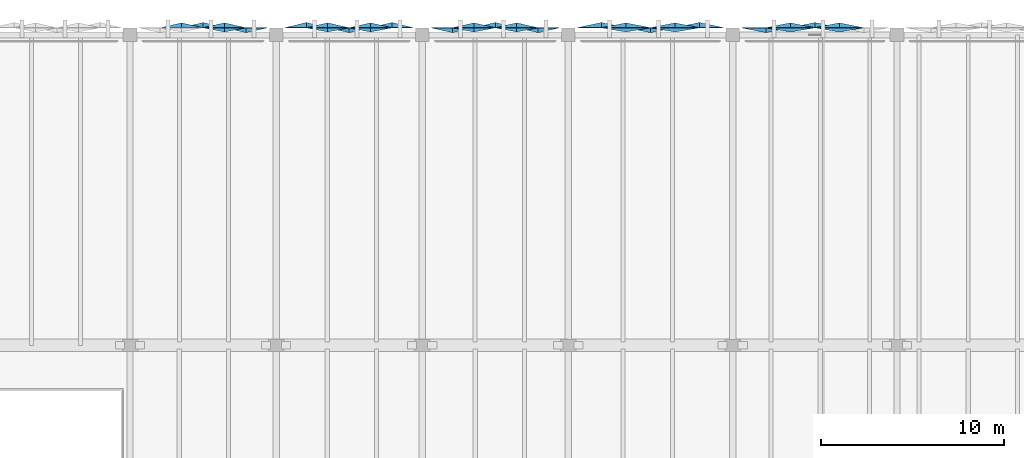
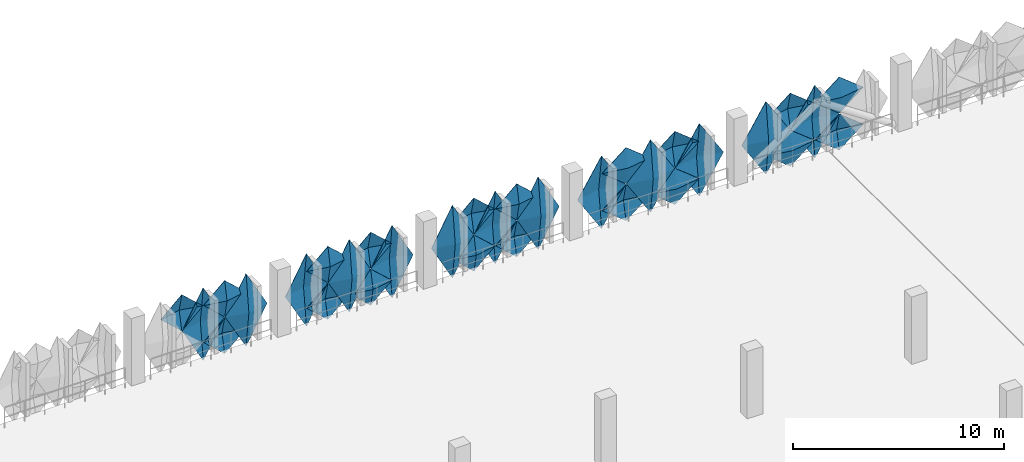
# One storey, part 63 of 76: 32 plates.
"""IFC4 building model written with IfcOpenShell, lengths in metres."""

import ifcopenshell
import ifcopenshell.guid

model = None  # the IFC model being written
_history = None  # IfcOwnerHistory: only IFC2X3 demands one
_inside = {}  # id of a spatial element -> (the spatial element, [elements in it])
_under = {}  # id of a project, library or spatial element -> (it, [spatial elements below it])
_declared = {}  # id of a project -> (the project, [libraries it declares])
_typed = {}  # id of a type object -> (the type object, [elements of that type])
_made_of = {}  # id of a material, layer set ... -> (it, [elements and type objects made of it])


def new_model(schema):
    """Start an empty IFC model of exactly this schema.

    Asked for "IFC4X3", IfcOpenShell would pick the latest addendum, in which some entities
    have other attributes; the version numbers below select the first issue.
    IFC2X3 requires an IfcOwnerHistory on every rooted entity: one is made here for all.
    """
    global model, _history
    if schema == "IFC4X3":
        model = ifcopenshell.file(schema_version=(4, 3, 0, 0))
    else:
        model = ifcopenshell.file(schema=schema)
    _inside.clear()
    _under.clear()
    _declared.clear()
    _typed.clear()
    _made_of.clear()
    _history = None
    if model.schema == "IFC2X3":
        org = make("IfcOrganization", Name="unknown")
        user = make(
            "IfcPersonAndOrganization",
            ThePerson=make("IfcPerson", FamilyName="unknown"),
            TheOrganization=org,
        )
        app = make(
            "IfcApplication",
            ApplicationDeveloper=org,
            Version="unknown",
            ApplicationFullName="unknown",
            ApplicationIdentifier="unknown",
        )
        _history = make(
            "IfcOwnerHistory",
            OwningUser=user,
            OwningApplication=app,
            ChangeAction="ADDED",
            CreationDate=0,
        )
    return model


def make(cls, **values):
    """One entity of the class cls with the attributes given. An attribute that is None is left unset."""
    return model.create_entity(
        cls, **{name: value for name, value in values.items() if value is not None}
    )


def rooted(cls, **values):
    """An entity with a GlobalId (a new one), such as an element, a storey or a relation."""
    return make(cls, GlobalId=ifcopenshell.guid.new(), OwnerHistory=_history, **values)


def si_unit(unit_type, name, prefix=None):
    """IfcSIUnit, for example si_unit("LENGTHUNIT", "METRE", prefix="MILLI")."""
    return make("IfcSIUnit", UnitType=unit_type, Prefix=prefix, Name=name)


def derived_unit(unit_type, elements):
    """IfcDerivedUnit: a product of units, each with its exponent."""
    return make(
        "IfcDerivedUnit",
        Elements=[
            make("IfcDerivedUnitElement", Unit=unit, Exponent=power)
            for unit, power in elements
        ],
        UnitType=unit_type,
    )


def assignment(units):
    """IfcUnitAssignment: the units of a project."""
    return None if units is None else make("IfcUnitAssignment", Units=units)


def point(xyz):
    """IfcCartesianPoint."""
    return None if xyz is None else make("IfcCartesianPoint", Coordinates=xyz)


def direction(xyz):
    """IfcDirection."""
    return None if xyz is None else make("IfcDirection", DirectionRatios=xyz)


def frame(location, z_axis=None, x_axis=None):
    """IfcAxis2Placement3D, a coordinate frame: its origin and axes. An axis left out is left unset."""
    return make(
        "IfcAxis2Placement3D",
        Location=point(location),
        Axis=direction(z_axis),
        RefDirection=direction(x_axis),
    )


def origin():
    """The frame at (0, 0, 0) with its axes left unset."""
    return frame((0.0, 0.0, 0.0))


def place(relative_to, where):
    """IfcLocalPlacement: puts the frame where relative to a parent placement (None: the world)."""
    return make(
        "IfcLocalPlacement", PlacementRelTo=relative_to, RelativePlacement=where
    )


def context(
    kind, dimensions, precision=None, world=None, true_north=None, identifier=None
):
    """IfcGeometricRepresentationContext, for example the 3D "Model" context."""
    return make(
        "IfcGeometricRepresentationContext",
        ContextIdentifier=identifier,
        ContextType=kind,
        CoordinateSpaceDimension=dimensions,
        Precision=precision,
        WorldCoordinateSystem=world,
        TrueNorth=true_north,
    )


def subcontext(parent, identifier, kind, view, scale=None):
    """IfcGeometricRepresentationSubContext, for example "Body" below "Model"."""
    return make(
        "IfcGeometricRepresentationSubContext",
        ContextIdentifier=identifier,
        ContextType=kind,
        ParentContext=parent,
        TargetScale=scale,
        TargetView=view,
    )


def project(units=None, contexts=None):
    """IfcProject with its units and contexts."""
    return rooted(
        "IfcProject",
        Name="project",
        RepresentationContexts=contexts,
        UnitsInContext=assignment(units),
    )


def spatial(cls, under=None, at=None, **own):
    """A site, building, storey or space (cls), placed at a placement, below another one or the project."""
    s = rooted(cls, ObjectPlacement=at, **own)
    if under is not None:
        _under.setdefault(under.id(), (under, []))[1].append(s)
    return s


def point_list(points):
    """IfcCartesianPointList2D or 3D."""
    cls = (
        "IfcCartesianPointList2D" if len(points[0]) == 2 else "IfcCartesianPointList3D"
    )
    return make(cls, CoordList=points)


def polygons(points, faces, closed=None, point_numbers=None):
    """IfcPolygonalFaceSet: a face is its outer loop, then its inner loops; points numbered from 1."""
    made = []
    for loops in faces:
        if len(loops) == 1:
            made.append(make("IfcIndexedPolygonalFace", CoordIndex=loops[0]))
        else:
            made.append(
                make(
                    "IfcIndexedPolygonalFaceWithVoids",
                    CoordIndex=loops[0],
                    InnerCoordIndices=loops[1:],
                )
            )
    return make(
        "IfcPolygonalFaceSet",
        Coordinates=point_list(points),
        Closed=closed,
        Faces=made,
        PnIndex=point_numbers,
    )


def shape(context_of_items, identifier, shape_type, items):
    """IfcShapeRepresentation: the items that make up one representation, for example the "Body"."""
    return make(
        "IfcShapeRepresentation",
        ContextOfItems=context_of_items,
        RepresentationIdentifier=identifier,
        RepresentationType=shape_type,
        Items=items,
    )


def material(Name=None, Category=None):
    """IfcMaterial."""
    return make("IfcMaterial", Name=Name, Category=Category)


def layer(
    of_material, thickness, ventilated=None, Name=None, Category=None, Priority=None
):
    """IfcMaterialLayer: one layer of a wall or slab, of a material (None: an air gap)."""
    return make(
        "IfcMaterialLayer",
        Material=of_material,
        LayerThickness=thickness,
        IsVentilated=ventilated,
        Name=Name,
        Category=Category,
        Priority=Priority,
    )


def layer_set(layers, Name=None):
    """IfcMaterialLayerSet."""
    return make("IfcMaterialLayerSet", MaterialLayers=layers, LayerSetName=Name)


def made_of(thing, what):
    """Note that an element or type object is made of a material, layer set ...; save() writes the relation."""
    if what is not None:
        _made_of.setdefault(what.id(), (what, []))[1].append(thing)
    return thing


def type_object(cls, material=None, **own):
    """A type object (cls), such as IfcWallType, which elements share."""
    return made_of(rooted(cls, **own), material)


def element(
    cls,
    number,
    at=None,
    inside=None,
    cuts=None,
    type_object=None,
    material=None,
    context=None,
    identifier="Body",
    shape_type=None,
    held_by="IfcProductDefinitionShape",
    body=None,
    shapes=None,
    **own,
):
    """One element of the class cls, such as IfcWall. Its Tag is "e" and its number.

    at: its placement. inside: the storey or other place that contains it. cuts: it is an
    opening in that element (IfcRelVoidsElement). A single representation is given by context,
    identifier, shape_type and body (its items); several are given by shapes. held_by: the class
    of the entity that holds the representations. save() writes the other relations.
    """
    e = rooted(cls, Tag="e%d" % number, ObjectPlacement=at, **own)
    if body is not None:
        shapes = [shape(context, identifier, shape_type, body)]
    if shapes is not None:
        e.Representation = make(held_by, Representations=shapes)
    if inside is not None:
        _inside.setdefault(inside.id(), (inside, []))[1].append(e)
    if cuts is not None:
        rooted(
            "IfcRelVoidsElement", RelatingBuildingElement=cuts, RelatedOpeningElement=e
        )
    if type_object is not None:
        _typed.setdefault(type_object.id(), (type_object, []))[1].append(e)
    return made_of(e, material)


def aggregate(whole, parts):
    """IfcRelAggregates: a whole, such as a stair, and the parts it consists of."""
    return rooted("IfcRelAggregates", RelatingObject=whole, RelatedObjects=parts)


def save(model, path):
    """Write the relations noted so far, then the file.

    IfcRelAggregates (storeys below a building ...), IfcRelContainedInSpatialStructure (elements
    in a storey), IfcRelDefinesByType, IfcRelAssociatesMaterial and IfcRelDeclares: one each for
    every whole, place, type object, material and project.
    """
    for whole, parts in _under.values():
        aggregate(whole, parts)
    for where, things in _inside.values():
        rooted(
            "IfcRelContainedInSpatialStructure",
            RelatedElements=things,
            RelatingStructure=where,
        )
    for kind, things in _typed.values():
        rooted("IfcRelDefinesByType", RelatedObjects=things, RelatingType=kind)
    for what, things in _made_of.values():
        rooted("IfcRelAssociatesMaterial", RelatedObjects=things, RelatingMaterial=what)
    for by, libraries in _declared.values():
        rooted("IfcRelDeclares", RelatingContext=by, RelatedDefinitions=libraries)
    model.write(path)


model = new_model("IFC4")

# Units and contexts
model_context = context("Model", 3, precision=1e-05, world=origin(), true_north=direction((0.0, 1.0)))
body_context = subcontext(model_context, "Body", "Model", "MODEL_VIEW")
ifc_project = project(units=[si_unit("LENGTHUNIT", "METRE"), si_unit("AREAUNIT", "SQUARE_METRE"), si_unit("VOLUMEUNIT", "CUBIC_METRE"), si_unit("PLANEANGLEUNIT", "RADIAN"), si_unit("MASSUNIT", "GRAM", prefix="KILO"), si_unit("THERMODYNAMICTEMPERATUREUNIT", "KELVIN"), derived_unit("THERMALTRANSMITTANCEUNIT", [(si_unit("POWERUNIT", "WATT"), 1), (si_unit("AREAUNIT", "SQUARE_METRE"), -1), (si_unit("THERMODYNAMICTEMPERATUREUNIT", "KELVIN"), -1)])], contexts=[model_context])

# Site, building, storey
site_placement = place(None, origin())
site = spatial("IfcSite", under=ifc_project, at=site_placement, CompositionType="ELEMENT")
building_placement = place(site_placement, origin())
building = spatial("IfcBuilding", under=site, at=building_placement, Name="Haiyu Intermodal Mobility Hub", CompositionType="ELEMENT")
storey_placement = place(building_placement, frame((0.0, 0.0, 17.300048828125)))
storey = spatial("IfcBuildingStorey", under=building, at=storey_placement, Name="L04", CompositionType="ELEMENT", Elevation=17.300048828125)

# Plates
ifc_material = material(Name="Anodised aluminium 6063-T6", Category="aluminium")
ifc_layer_1 = layer(ifc_material, 0.01806640625)
ifc_layer_set_1 = layer_set([ifc_layer_1], Name="Anodised aluminium 6063-T6")
plate_type_1 = type_object("IfcPlateType", Name="PLT-FC01", PredefinedType="USERDEFINED", material=ifc_layer_set_1)
plate_1_placement = place(storey_placement, origin())
element("IfcPlate", 1, at=plate_1_placement, inside=storey, type_object=plate_type_1, Name="PLT-PYR-0128", ObjectType="FACADE CASSETTE", PredefinedType="USERDEFINED", context=body_context, shape_type="Tessellation", body=[
    polygons([(59.173095703125, 148.39990234375, -0.52001953125), (58.02001953125, 148.39990234375, 0.530029296875), (59.173095703125, 148.39990234375, 1.579833984375), (60.326904296875, 148.39990234375, 0.530029296875), (59.173095703125, 148.659912109375, 0.530029296875), (59.173095703125, 148.3779296875, -0.52001953125), (58.02001953125, 148.3779296875, 0.530029296875), (59.173095703125, 148.3779296875, 1.579833984375), (60.326904296875, 148.3779296875, 0.530029296875), (59.173095703125, 148.637939453125, 0.530029296875)], [[[1, 2, 5]], [[2, 3, 5]], [[3, 4, 5]], [[4, 1, 5]], [[7, 6, 10]], [[8, 7, 10]], [[9, 8, 10]], [[6, 9, 10]], [[1, 6, 7, 2]], [[2, 7, 8, 3]], [[3, 8, 9, 4]], [[4, 9, 6, 1]]], closed=True),
])
plate_2_placement = place(storey_placement, origin())
element("IfcPlate", 2, at=plate_2_placement, inside=storey, type_object=plate_type_1, Name="PLT-PYR-0162", ObjectType="FACADE CASSETTE", PredefinedType="USERDEFINED", context=body_context, shape_type="Tessellation", body=[
    polygons([(68.346923828125, 148.39990234375, -0.510009765625), (67.193115234375, 148.39990234375, 1.599853515625), (68.346923828125, 148.39990234375, 3.7099609375), (69.5, 148.39990234375, 1.599853515625), (68.346923828125, 148.679931640625, 1.599853515625), (68.346923828125, 148.3779296875, -0.510009765625), (67.193115234375, 148.3779296875, 1.599853515625), (68.346923828125, 148.3779296875, 3.7099609375), (69.5, 148.3779296875, 1.599853515625), (68.346923828125, 148.657958984375, 1.599853515625)], [[[1, 2, 5]], [[2, 3, 5]], [[3, 4, 5]], [[4, 1, 5]], [[7, 6, 10]], [[8, 7, 10]], [[9, 8, 10]], [[6, 9, 10]], [[1, 6, 7, 2]], [[2, 7, 8, 3]], [[3, 8, 9, 4]], [[4, 9, 6, 1]]], closed=True),
])
plate_3_placement = place(storey_placement, origin())
element("IfcPlate", 3, at=plate_3_placement, inside=storey, type_object=plate_type_1, Name="PLT-PYR-0166", ObjectType="FACADE CASSETTE", PredefinedType="USERDEFINED", context=body_context, shape_type="Tessellation", body=[
    polygons([(64.826904296875, 148.39990234375, -0.52001953125), (63.673095703125, 148.39990234375, 0.530029296875), (64.826904296875, 148.39990234375, 1.579833984375), (65.97998046875, 148.39990234375, 0.530029296875), (64.826904296875, 148.659912109375, 0.530029296875), (64.826904296875, 148.3779296875, -0.52001953125), (63.673095703125, 148.3779296875, 0.530029296875), (64.826904296875, 148.3779296875, 1.579833984375), (65.97998046875, 148.3779296875, 0.530029296875), (64.826904296875, 148.637939453125, 0.530029296875)], [[[1, 2, 5]], [[2, 3, 5]], [[3, 4, 5]], [[4, 1, 5]], [[7, 6, 10]], [[8, 7, 10]], [[9, 8, 10]], [[6, 9, 10]], [[1, 6, 7, 2]], [[2, 7, 8, 3]], [[3, 8, 9, 4]], [[4, 9, 6, 1]]], closed=True),
])
plate_4_placement = place(storey_placement, origin())
element("IfcPlate", 4, at=plate_4_placement, inside=storey, type_object=plate_type_1, Name="PLT-PYR-0198", ObjectType="FACADE CASSETTE", PredefinedType="USERDEFINED", context=body_context, shape_type="Tessellation", body=[
    polygons([(75.173095703125, 148.39990234375, -0.52001953125), (74.02001953125, 148.39990234375, 0.530029296875), (75.173095703125, 148.39990234375, 1.579833984375), (76.326904296875, 148.39990234375, 0.530029296875), (75.173095703125, 148.659912109375, 0.530029296875), (75.173095703125, 148.3779296875, -0.52001953125), (74.02001953125, 148.3779296875, 0.530029296875), (75.173095703125, 148.3779296875, 1.579833984375), (76.326904296875, 148.3779296875, 0.530029296875), (75.173095703125, 148.637939453125, 0.530029296875)], [[[1, 2, 5]], [[2, 3, 5]], [[3, 4, 5]], [[4, 1, 5]], [[7, 6, 10]], [[8, 7, 10]], [[9, 8, 10]], [[6, 9, 10]], [[1, 6, 7, 2]], [[2, 7, 8, 3]], [[3, 8, 9, 4]], [[4, 9, 6, 1]]], closed=True),
])
plate_5_placement = place(storey_placement, origin())
element("IfcPlate", 5, at=plate_5_placement, inside=storey, type_object=plate_type_1, Name="PLT-PYR-0232", ObjectType="FACADE CASSETTE", PredefinedType="USERDEFINED", context=body_context, shape_type="Tessellation", body=[
    polygons([(85.179931640625, 148.39990234375, -0.510009765625), (83.860107421875, 148.39990234375, 1.599853515625), (85.179931640625, 148.39990234375, 3.7099609375), (86.5, 148.39990234375, 1.599853515625), (85.179931640625, 148.679931640625, 1.599853515625), (85.179931640625, 148.3779296875, -0.510009765625), (83.860107421875, 148.3779296875, 1.599853515625), (85.179931640625, 148.3779296875, 3.7099609375), (86.5, 148.3779296875, 1.599853515625), (85.179931640625, 148.657958984375, 1.599853515625)], [[[1, 2, 5]], [[2, 3, 5]], [[3, 4, 5]], [[4, 1, 5]], [[7, 6, 10]], [[8, 7, 10]], [[9, 8, 10]], [[6, 9, 10]], [[1, 6, 7, 2]], [[2, 7, 8, 3]], [[3, 8, 9, 4]], [[4, 9, 6, 1]]], closed=True),
])
plate_6_placement = place(storey_placement, origin())
element("IfcPlate", 6, at=plate_6_placement, inside=storey, type_object=plate_type_1, Name="PLT-PYR-0236", ObjectType="FACADE CASSETTE", PredefinedType="USERDEFINED", context=body_context, shape_type="Tessellation", body=[
    polygons([(81.159912109375, 148.39990234375, -0.52001953125), (79.840087890625, 148.39990234375, 0.530029296875), (81.159912109375, 148.39990234375, 1.579833984375), (82.47998046875, 148.39990234375, 0.530029296875), (81.159912109375, 148.659912109375, 0.530029296875), (81.159912109375, 148.3779296875, -0.52001953125), (79.840087890625, 148.3779296875, 0.530029296875), (81.159912109375, 148.3779296875, 1.579833984375), (82.47998046875, 148.3779296875, 0.530029296875), (81.159912109375, 148.637939453125, 0.530029296875)], [[[1, 2, 5]], [[2, 3, 5]], [[3, 4, 5]], [[4, 1, 5]], [[7, 6, 10]], [[8, 7, 10]], [[9, 8, 10]], [[6, 9, 10]], [[1, 6, 7, 2]], [[2, 7, 8, 3]], [[3, 8, 9, 4]], [[4, 9, 6, 1]]], closed=True),
])
plate_7_placement = place(storey_placement, origin())
element("IfcPlate", 7, at=plate_7_placement, inside=storey, type_object=plate_type_1, Name="PLT-PYR-0268", ObjectType="FACADE CASSETTE", PredefinedType="USERDEFINED", context=body_context, shape_type="Tessellation", body=[
    polygons([(92.840087890625, 148.39990234375, -0.52001953125), (91.52001953125, 148.39990234375, 0.530029296875), (92.840087890625, 148.39990234375, 1.579833984375), (94.159912109375, 148.39990234375, 0.530029296875), (92.840087890625, 148.659912109375, 0.530029296875), (92.840087890625, 148.3779296875, -0.52001953125), (91.52001953125, 148.3779296875, 0.530029296875), (92.840087890625, 148.3779296875, 1.579833984375), (94.159912109375, 148.3779296875, 0.530029296875), (92.840087890625, 148.637939453125, 0.530029296875)], [[[1, 2, 5]], [[2, 3, 5]], [[3, 4, 5]], [[4, 1, 5]], [[7, 6, 10]], [[8, 7, 10]], [[9, 8, 10]], [[6, 9, 10]], [[1, 6, 7, 2]], [[2, 7, 8, 3]], [[3, 8, 9, 4]], [[4, 9, 6, 1]]], closed=True),
])
ifc_layer_2 = layer(ifc_material, 0.02001953125)
ifc_layer_set_2 = layer_set([ifc_layer_2], Name="Anodised aluminium 6063-T6")
plate_type_2 = type_object("IfcPlateType", Name="PLT-FC02", PredefinedType="USERDEFINED", material=ifc_layer_set_2)
plate_8_placement = place(storey_placement, origin())
element("IfcPlate", 8, at=plate_8_placement, inside=storey, type_object=plate_type_2, Name="PLT-PYR-0127", ObjectType="FACADE CASSETTE", PredefinedType="USERDEFINED", context=body_context, shape_type="Tessellation", body=[
    polygons([(60.346923828125, 148.39990234375, -0.510009765625), (59.193115234375, 148.39990234375, 1.599853515625), (60.346923828125, 148.39990234375, 3.7099609375), (61.5, 148.39990234375, 1.599853515625), (60.346923828125, 148.139892578125, 1.599853515625), (60.346923828125, 148.3779296875, -0.510009765625), (59.193115234375, 148.3779296875, 1.599853515625), (60.346923828125, 148.3779296875, 3.7099609375), (61.5, 148.3779296875, 1.599853515625), (60.346923828125, 148.117919921875, 1.599853515625)], [[[1, 2, 5]], [[2, 3, 5]], [[3, 4, 5]], [[4, 1, 5]], [[7, 6, 10]], [[8, 7, 10]], [[9, 8, 10]], [[6, 9, 10]], [[1, 6, 7, 2]], [[2, 7, 8, 3]], [[3, 8, 9, 4]], [[4, 9, 6, 1]]], closed=True),
])
plate_9_placement = place(storey_placement, origin())
element("IfcPlate", 9, at=plate_9_placement, inside=storey, type_object=plate_type_2, Name="PLT-PYR-0163", ObjectType="FACADE CASSETTE", PredefinedType="USERDEFINED", context=body_context, shape_type="Tessellation", body=[
    polygons([(67.173095703125, 148.39990234375, -0.52001953125), (66.02001953125, 148.39990234375, 0.530029296875), (67.173095703125, 148.39990234375, 1.579833984375), (68.326904296875, 148.39990234375, 0.530029296875), (67.173095703125, 148.179931640625, 0.530029296875), (67.173095703125, 148.3779296875, -0.52001953125), (66.02001953125, 148.3779296875, 0.530029296875), (67.173095703125, 148.3779296875, 1.579833984375), (68.326904296875, 148.3779296875, 0.530029296875), (67.173095703125, 148.157958984375, 0.530029296875)], [[[1, 2, 5]], [[2, 3, 5]], [[3, 4, 5]], [[4, 1, 5]], [[7, 6, 10]], [[8, 7, 10]], [[9, 8, 10]], [[6, 9, 10]], [[1, 6, 7, 2]], [[2, 7, 8, 3]], [[3, 8, 9, 4]], [[4, 9, 6, 1]]], closed=True),
])
plate_10_placement = place(storey_placement, origin())
element("IfcPlate", 10, at=plate_10_placement, inside=storey, type_object=plate_type_2, Name="PLT-PYR-0197", ObjectType="FACADE CASSETTE", PredefinedType="USERDEFINED", context=body_context, shape_type="Tessellation", body=[
    polygons([(76.346923828125, 148.39990234375, -0.510009765625), (75.193115234375, 148.39990234375, 1.599853515625), (76.346923828125, 148.39990234375, 3.7099609375), (77.5, 148.39990234375, 1.599853515625), (76.346923828125, 148.139892578125, 1.599853515625), (76.346923828125, 148.3779296875, -0.510009765625), (75.193115234375, 148.3779296875, 1.599853515625), (76.346923828125, 148.3779296875, 3.7099609375), (77.5, 148.3779296875, 1.599853515625), (76.346923828125, 148.117919921875, 1.599853515625)], [[[1, 2, 5]], [[2, 3, 5]], [[3, 4, 5]], [[4, 1, 5]], [[7, 6, 10]], [[8, 7, 10]], [[9, 8, 10]], [[6, 9, 10]], [[1, 6, 7, 2]], [[2, 7, 8, 3]], [[3, 8, 9, 4]], [[4, 9, 6, 1]]], closed=True),
])
plate_11_placement = place(storey_placement, origin())
element("IfcPlate", 11, at=plate_11_placement, inside=storey, type_object=plate_type_2, Name="PLT-PYR-0201", ObjectType="FACADE CASSETTE", PredefinedType="USERDEFINED", context=body_context, shape_type="Tessellation", body=[
    polygons([(72.826904296875, 148.39990234375, -0.52001953125), (71.673095703125, 148.39990234375, 0.530029296875), (72.826904296875, 148.39990234375, 1.579833984375), (73.97998046875, 148.39990234375, 0.530029296875), (72.826904296875, 148.179931640625, 0.530029296875), (72.826904296875, 148.3779296875, -0.52001953125), (71.673095703125, 148.3779296875, 0.530029296875), (72.826904296875, 148.3779296875, 1.579833984375), (73.97998046875, 148.3779296875, 0.530029296875), (72.826904296875, 148.157958984375, 0.530029296875)], [[[1, 2, 5]], [[2, 3, 5]], [[3, 4, 5]], [[4, 1, 5]], [[7, 6, 10]], [[8, 7, 10]], [[9, 8, 10]], [[6, 9, 10]], [[1, 6, 7, 2]], [[2, 7, 8, 3]], [[3, 8, 9, 4]], [[4, 9, 6, 1]]], closed=True),
])
plate_12_placement = place(storey_placement, origin())
element("IfcPlate", 12, at=plate_12_placement, inside=storey, type_object=plate_type_2, Name="PLT-PYR-0233", ObjectType="FACADE CASSETTE", PredefinedType="USERDEFINED", context=body_context, shape_type="Tessellation", body=[
    polygons([(83.840087890625, 148.39990234375, -0.52001953125), (82.52001953125, 148.39990234375, 0.530029296875), (83.840087890625, 148.39990234375, 1.579833984375), (85.159912109375, 148.39990234375, 0.530029296875), (83.840087890625, 148.179931640625, 0.530029296875), (83.840087890625, 148.3779296875, -0.52001953125), (82.52001953125, 148.3779296875, 0.530029296875), (83.840087890625, 148.3779296875, 1.579833984375), (85.159912109375, 148.3779296875, 0.530029296875), (83.840087890625, 148.157958984375, 0.530029296875)], [[[1, 2, 5]], [[2, 3, 5]], [[3, 4, 5]], [[4, 1, 5]], [[7, 6, 10]], [[8, 7, 10]], [[9, 8, 10]], [[6, 9, 10]], [[1, 6, 7, 2]], [[2, 7, 8, 3]], [[3, 8, 9, 4]], [[4, 9, 6, 1]]], closed=True),
])
plate_13_placement = place(storey_placement, origin())
element("IfcPlate", 13, at=plate_13_placement, inside=storey, type_object=plate_type_2, Name="PLT-PYR-0271", ObjectType="FACADE CASSETTE", PredefinedType="USERDEFINED", context=body_context, shape_type="Tessellation", body=[
    polygons([(90.159912109375, 148.39990234375, -0.52001953125), (88.840087890625, 148.39990234375, 0.530029296875), (90.159912109375, 148.39990234375, 1.579833984375), (91.47998046875, 148.39990234375, 0.530029296875), (90.159912109375, 148.179931640625, 0.530029296875), (90.159912109375, 148.3779296875, -0.52001953125), (88.840087890625, 148.3779296875, 0.530029296875), (90.159912109375, 148.3779296875, 1.579833984375), (91.47998046875, 148.3779296875, 0.530029296875), (90.159912109375, 148.157958984375, 0.530029296875)], [[[1, 2, 5]], [[2, 3, 5]], [[3, 4, 5]], [[4, 1, 5]], [[7, 6, 10]], [[8, 7, 10]], [[9, 8, 10]], [[6, 9, 10]], [[1, 6, 7, 2]], [[2, 7, 8, 3]], [[3, 8, 9, 4]], [[4, 9, 6, 1]]], closed=True),
])
ifc_layer_3 = layer(ifc_material, 0.01806640625)
ifc_layer_set_3 = layer_set([ifc_layer_3], Name="Anodised aluminium 6063-T6")
plate_type_3 = type_object("IfcPlateType", Name="PLT-FC03", PredefinedType="USERDEFINED", material=ifc_layer_set_3)
plate_14_placement = place(storey_placement, origin())
element("IfcPlate", 14, at=plate_14_placement, inside=storey, type_object=plate_type_3, Name="PLT-PYR-0130", ObjectType="FACADE CASSETTE", PredefinedType="USERDEFINED", context=body_context, shape_type="Tessellation", body=[
    polygons([(58.0, 148.39990234375, -0.510009765625), (56.846923828125, 148.39990234375, 1.599853515625), (58.0, 148.39990234375, 3.7099609375), (59.153076171875, 148.39990234375, 1.599853515625), (58.0, 148.679931640625, 1.599853515625), (58.0, 148.3779296875, -0.510009765625), (56.846923828125, 148.3779296875, 1.599853515625), (58.0, 148.3779296875, 3.7099609375), (59.153076171875, 148.3779296875, 1.599853515625), (58.0, 148.657958984375, 1.599853515625)], [[[1, 2, 5]], [[2, 3, 5]], [[3, 4, 5]], [[4, 1, 5]], [[7, 6, 10]], [[8, 7, 10]], [[9, 8, 10]], [[6, 9, 10]], [[1, 6, 7, 2]], [[2, 7, 8, 3]], [[3, 8, 9, 4]], [[4, 9, 6, 1]]], closed=True),
])
plate_15_placement = place(storey_placement, origin())
element("IfcPlate", 15, at=plate_15_placement, inside=storey, type_object=plate_type_3, Name="PLT-PYR-0132", ObjectType="FACADE CASSETTE", PredefinedType="USERDEFINED", context=body_context, shape_type="Tessellation", body=[
    polygons([(56.826904296875, 148.39990234375, 1.619873046875), (55.673095703125, 148.39990234375, 2.669921875), (56.826904296875, 148.39990234375, 3.719970703125), (57.97998046875, 148.39990234375, 2.669921875), (56.826904296875, 148.659912109375, 2.669921875), (56.826904296875, 148.3779296875, 1.619873046875), (55.673095703125, 148.3779296875, 2.669921875), (56.826904296875, 148.3779296875, 3.719970703125), (57.97998046875, 148.3779296875, 2.669921875), (56.826904296875, 148.637939453125, 2.669921875)], [[[1, 2, 5]], [[2, 3, 5]], [[3, 4, 5]], [[4, 1, 5]], [[7, 6, 10]], [[8, 7, 10]], [[9, 8, 10]], [[6, 9, 10]], [[1, 6, 7, 2]], [[2, 7, 8, 3]], [[3, 8, 9, 4]], [[4, 9, 6, 1]]], closed=True),
])
plate_16_placement = place(storey_placement, origin())
element("IfcPlate", 16, at=plate_16_placement, inside=storey, type_object=plate_type_3, Name="PLT-PYR-0164", ObjectType="FACADE CASSETTE", PredefinedType="USERDEFINED", context=body_context, shape_type="Tessellation", body=[
    polygons([(67.173095703125, 148.39990234375, 1.619873046875), (66.02001953125, 148.39990234375, 2.669921875), (67.173095703125, 148.39990234375, 3.719970703125), (68.326904296875, 148.39990234375, 2.669921875), (67.173095703125, 148.659912109375, 2.669921875), (67.173095703125, 148.3779296875, 1.619873046875), (66.02001953125, 148.3779296875, 2.669921875), (67.173095703125, 148.3779296875, 3.719970703125), (68.326904296875, 148.3779296875, 2.669921875), (67.173095703125, 148.637939453125, 2.669921875)], [[[1, 2, 5]], [[2, 3, 5]], [[3, 4, 5]], [[4, 1, 5]], [[7, 6, 10]], [[8, 7, 10]], [[9, 8, 10]], [[6, 9, 10]], [[1, 6, 7, 2]], [[2, 7, 8, 3]], [[3, 8, 9, 4]], [[4, 9, 6, 1]]], closed=True),
])
plate_17_placement = place(storey_placement, origin())
element("IfcPlate", 17, at=plate_17_placement, inside=storey, type_object=plate_type_3, Name="PLT-PYR-0200", ObjectType="FACADE CASSETTE", PredefinedType="USERDEFINED", context=body_context, shape_type="Tessellation", body=[
    polygons([(74.0, 148.39990234375, -0.510009765625), (72.846923828125, 148.39990234375, 1.599853515625), (74.0, 148.39990234375, 3.7099609375), (75.153076171875, 148.39990234375, 1.599853515625), (74.0, 148.679931640625, 1.599853515625), (74.0, 148.3779296875, -0.510009765625), (72.846923828125, 148.3779296875, 1.599853515625), (74.0, 148.3779296875, 3.7099609375), (75.153076171875, 148.3779296875, 1.599853515625), (74.0, 148.657958984375, 1.599853515625)], [[[1, 2, 5]], [[2, 3, 5]], [[3, 4, 5]], [[4, 1, 5]], [[7, 6, 10]], [[8, 7, 10]], [[9, 8, 10]], [[6, 9, 10]], [[1, 6, 7, 2]], [[2, 7, 8, 3]], [[3, 8, 9, 4]], [[4, 9, 6, 1]]], closed=True),
])
plate_18_placement = place(storey_placement, origin())
element("IfcPlate", 18, at=plate_18_placement, inside=storey, type_object=plate_type_3, Name="PLT-PYR-0202", ObjectType="FACADE CASSETTE", PredefinedType="USERDEFINED", context=body_context, shape_type="Tessellation", body=[
    polygons([(72.826904296875, 148.39990234375, 1.619873046875), (71.673095703125, 148.39990234375, 2.669921875), (72.826904296875, 148.39990234375, 3.719970703125), (73.97998046875, 148.39990234375, 2.669921875), (72.826904296875, 148.659912109375, 2.669921875), (72.826904296875, 148.3779296875, 1.619873046875), (71.673095703125, 148.3779296875, 2.669921875), (72.826904296875, 148.3779296875, 3.719970703125), (73.97998046875, 148.3779296875, 2.669921875), (72.826904296875, 148.637939453125, 2.669921875)], [[[1, 2, 5]], [[2, 3, 5]], [[3, 4, 5]], [[4, 1, 5]], [[7, 6, 10]], [[8, 7, 10]], [[9, 8, 10]], [[6, 9, 10]], [[1, 6, 7, 2]], [[2, 7, 8, 3]], [[3, 8, 9, 4]], [[4, 9, 6, 1]]], closed=True),
])
plate_19_placement = place(storey_placement, origin())
element("IfcPlate", 19, at=plate_19_placement, inside=storey, type_object=plate_type_3, Name="PLT-PYR-0234", ObjectType="FACADE CASSETTE", PredefinedType="USERDEFINED", context=body_context, shape_type="Tessellation", body=[
    polygons([(83.840087890625, 148.39990234375, 1.619873046875), (82.52001953125, 148.39990234375, 2.669921875), (83.840087890625, 148.39990234375, 3.719970703125), (85.159912109375, 148.39990234375, 2.669921875), (83.840087890625, 148.659912109375, 2.669921875), (83.840087890625, 148.3779296875, 1.619873046875), (82.52001953125, 148.3779296875, 2.669921875), (83.840087890625, 148.3779296875, 3.719970703125), (85.159912109375, 148.3779296875, 2.669921875), (83.840087890625, 148.637939453125, 2.669921875)], [[[1, 2, 5]], [[2, 3, 5]], [[3, 4, 5]], [[4, 1, 5]], [[7, 6, 10]], [[8, 7, 10]], [[9, 8, 10]], [[6, 9, 10]], [[1, 6, 7, 2]], [[2, 7, 8, 3]], [[3, 8, 9, 4]], [[4, 9, 6, 1]]], closed=True),
])
plate_20_placement = place(storey_placement, origin())
element("IfcPlate", 20, at=plate_20_placement, inside=storey, type_object=plate_type_3, Name="PLT-PYR-0270", ObjectType="FACADE CASSETTE", PredefinedType="USERDEFINED", context=body_context, shape_type="Tessellation", body=[
    polygons([(91.5, 148.39990234375, -0.510009765625), (90.179931640625, 148.39990234375, 1.599853515625), (91.5, 148.39990234375, 3.7099609375), (92.820068359375, 148.39990234375, 1.599853515625), (91.5, 148.679931640625, 1.599853515625), (91.5, 148.3779296875, -0.510009765625), (90.179931640625, 148.3779296875, 1.599853515625), (91.5, 148.3779296875, 3.7099609375), (92.820068359375, 148.3779296875, 1.599853515625), (91.5, 148.657958984375, 1.599853515625)], [[[1, 2, 5]], [[2, 3, 5]], [[3, 4, 5]], [[4, 1, 5]], [[7, 6, 10]], [[8, 7, 10]], [[9, 8, 10]], [[6, 9, 10]], [[1, 6, 7, 2]], [[2, 7, 8, 3]], [[3, 8, 9, 4]], [[4, 9, 6, 1]]], closed=True),
])
plate_21_placement = place(storey_placement, origin())
element("IfcPlate", 21, at=plate_21_placement, inside=storey, type_object=plate_type_3, Name="PLT-PYR-0272", ObjectType="FACADE CASSETTE", PredefinedType="USERDEFINED", context=body_context, shape_type="Tessellation", body=[
    polygons([(90.159912109375, 148.39990234375, 1.619873046875), (88.840087890625, 148.39990234375, 2.669921875), (90.159912109375, 148.39990234375, 3.719970703125), (91.47998046875, 148.39990234375, 2.669921875), (90.159912109375, 148.659912109375, 2.669921875), (90.159912109375, 148.3779296875, 1.619873046875), (88.840087890625, 148.3779296875, 2.669921875), (90.159912109375, 148.3779296875, 3.719970703125), (91.47998046875, 148.3779296875, 2.669921875), (90.159912109375, 148.637939453125, 2.669921875)], [[[1, 2, 5]], [[2, 3, 5]], [[3, 4, 5]], [[4, 1, 5]], [[7, 6, 10]], [[8, 7, 10]], [[9, 8, 10]], [[6, 9, 10]], [[1, 6, 7, 2]], [[2, 7, 8, 3]], [[3, 8, 9, 4]], [[4, 9, 6, 1]]], closed=True),
])
ifc_layer_4 = layer(ifc_material, 0.02001953125)
ifc_layer_set_4 = layer_set([ifc_layer_4], Name="Anodised aluminium 6063-T6")
plate_type_4 = type_object("IfcPlateType", Name="PLT-FC04", PredefinedType="USERDEFINED", material=ifc_layer_set_4)
plate_22_placement = place(storey_placement, origin())
element("IfcPlate", 22, at=plate_22_placement, inside=storey, type_object=plate_type_4, Name="PLT-PYR-0129", ObjectType="FACADE CASSETTE", PredefinedType="USERDEFINED", context=body_context, shape_type="Tessellation", body=[
    polygons([(59.173095703125, 148.39990234375, 1.619873046875), (58.02001953125, 148.39990234375, 2.669921875), (59.173095703125, 148.39990234375, 3.719970703125), (60.326904296875, 148.39990234375, 2.669921875), (59.173095703125, 148.179931640625, 2.669921875), (59.173095703125, 148.3779296875, 1.619873046875), (58.02001953125, 148.3779296875, 2.669921875), (59.173095703125, 148.3779296875, 3.719970703125), (60.326904296875, 148.3779296875, 2.669921875), (59.173095703125, 148.157958984375, 2.669921875)], [[[1, 2, 5]], [[2, 3, 5]], [[3, 4, 5]], [[4, 1, 5]], [[7, 6, 10]], [[8, 7, 10]], [[9, 8, 10]], [[6, 9, 10]], [[1, 6, 7, 2]], [[2, 7, 8, 3]], [[3, 8, 9, 4]], [[4, 9, 6, 1]]], closed=True),
])
plate_23_placement = place(storey_placement, origin())
element("IfcPlate", 23, at=plate_23_placement, inside=storey, type_object=plate_type_4, Name="PLT-PYR-0165", ObjectType="FACADE CASSETTE", PredefinedType="USERDEFINED", context=body_context, shape_type="Tessellation", body=[
    polygons([(66.0, 148.39990234375, -0.510009765625), (64.846923828125, 148.39990234375, 1.599853515625), (66.0, 148.39990234375, 3.7099609375), (67.153076171875, 148.39990234375, 1.599853515625), (66.0, 148.139892578125, 1.599853515625), (66.0, 148.3779296875, -0.510009765625), (64.846923828125, 148.3779296875, 1.599853515625), (66.0, 148.3779296875, 3.7099609375), (67.153076171875, 148.3779296875, 1.599853515625), (66.0, 148.117919921875, 1.599853515625)], [[[1, 2, 5]], [[2, 3, 5]], [[3, 4, 5]], [[4, 1, 5]], [[7, 6, 10]], [[8, 7, 10]], [[9, 8, 10]], [[6, 9, 10]], [[1, 6, 7, 2]], [[2, 7, 8, 3]], [[3, 8, 9, 4]], [[4, 9, 6, 1]]], closed=True),
])
plate_24_placement = place(storey_placement, origin())
element("IfcPlate", 24, at=plate_24_placement, inside=storey, type_object=plate_type_4, Name="PLT-PYR-0167", ObjectType="FACADE CASSETTE", PredefinedType="USERDEFINED", context=body_context, shape_type="Tessellation", body=[
    polygons([(64.826904296875, 148.39990234375, 1.619873046875), (63.673095703125, 148.39990234375, 2.669921875), (64.826904296875, 148.39990234375, 3.719970703125), (65.97998046875, 148.39990234375, 2.669921875), (64.826904296875, 148.179931640625, 2.669921875), (64.826904296875, 148.3779296875, 1.619873046875), (63.673095703125, 148.3779296875, 2.669921875), (64.826904296875, 148.3779296875, 3.719970703125), (65.97998046875, 148.3779296875, 2.669921875), (64.826904296875, 148.157958984375, 2.669921875)], [[[1, 2, 5]], [[2, 3, 5]], [[3, 4, 5]], [[4, 1, 5]], [[7, 6, 10]], [[8, 7, 10]], [[9, 8, 10]], [[6, 9, 10]], [[1, 6, 7, 2]], [[2, 7, 8, 3]], [[3, 8, 9, 4]], [[4, 9, 6, 1]]], closed=True),
])
plate_25_placement = place(storey_placement, origin())
element("IfcPlate", 25, at=plate_25_placement, inside=storey, type_object=plate_type_4, Name="PLT-PYR-0199", ObjectType="FACADE CASSETTE", PredefinedType="USERDEFINED", context=body_context, shape_type="Tessellation", body=[
    polygons([(75.173095703125, 148.39990234375, 1.619873046875), (74.02001953125, 148.39990234375, 2.669921875), (75.173095703125, 148.39990234375, 3.719970703125), (76.326904296875, 148.39990234375, 2.669921875), (75.173095703125, 148.179931640625, 2.669921875), (75.173095703125, 148.3779296875, 1.619873046875), (74.02001953125, 148.3779296875, 2.669921875), (75.173095703125, 148.3779296875, 3.719970703125), (76.326904296875, 148.3779296875, 2.669921875), (75.173095703125, 148.157958984375, 2.669921875)], [[[1, 2, 5]], [[2, 3, 5]], [[3, 4, 5]], [[4, 1, 5]], [[7, 6, 10]], [[8, 7, 10]], [[9, 8, 10]], [[6, 9, 10]], [[1, 6, 7, 2]], [[2, 7, 8, 3]], [[3, 8, 9, 4]], [[4, 9, 6, 1]]], closed=True),
])
plate_26_placement = place(storey_placement, origin())
element("IfcPlate", 26, at=plate_26_placement, inside=storey, type_object=plate_type_4, Name="PLT-PYR-0235", ObjectType="FACADE CASSETTE", PredefinedType="USERDEFINED", context=body_context, shape_type="Tessellation", body=[
    polygons([(82.5, 148.39990234375, -0.510009765625), (81.179931640625, 148.39990234375, 1.599853515625), (82.5, 148.39990234375, 3.7099609375), (83.820068359375, 148.39990234375, 1.599853515625), (82.5, 148.139892578125, 1.599853515625), (82.5, 148.3779296875, -0.510009765625), (81.179931640625, 148.3779296875, 1.599853515625), (82.5, 148.3779296875, 3.7099609375), (83.820068359375, 148.3779296875, 1.599853515625), (82.5, 148.117919921875, 1.599853515625)], [[[1, 2, 5]], [[2, 3, 5]], [[3, 4, 5]], [[4, 1, 5]], [[7, 6, 10]], [[8, 7, 10]], [[9, 8, 10]], [[6, 9, 10]], [[1, 6, 7, 2]], [[2, 7, 8, 3]], [[3, 8, 9, 4]], [[4, 9, 6, 1]]], closed=True),
])
plate_27_placement = place(storey_placement, origin())
element("IfcPlate", 27, at=plate_27_placement, inside=storey, type_object=plate_type_4, Name="PLT-PYR-0237", ObjectType="FACADE CASSETTE", PredefinedType="USERDEFINED", context=body_context, shape_type="Tessellation", body=[
    polygons([(81.159912109375, 148.39990234375, 1.619873046875), (79.840087890625, 148.39990234375, 2.669921875), (81.159912109375, 148.39990234375, 3.719970703125), (82.47998046875, 148.39990234375, 2.669921875), (81.159912109375, 148.179931640625, 2.669921875), (81.159912109375, 148.3779296875, 1.619873046875), (79.840087890625, 148.3779296875, 2.669921875), (81.159912109375, 148.3779296875, 3.719970703125), (82.47998046875, 148.3779296875, 2.669921875), (81.159912109375, 148.157958984375, 2.669921875)], [[[1, 2, 5]], [[2, 3, 5]], [[3, 4, 5]], [[4, 1, 5]], [[7, 6, 10]], [[8, 7, 10]], [[9, 8, 10]], [[6, 9, 10]], [[1, 6, 7, 2]], [[2, 7, 8, 3]], [[3, 8, 9, 4]], [[4, 9, 6, 1]]], closed=True),
])
plate_28_placement = place(storey_placement, origin())
element("IfcPlate", 28, at=plate_28_placement, inside=storey, type_object=plate_type_4, Name="PLT-PYR-0269", ObjectType="FACADE CASSETTE", PredefinedType="USERDEFINED", context=body_context, shape_type="Tessellation", body=[
    polygons([(92.840087890625, 148.39990234375, 1.619873046875), (91.52001953125, 148.39990234375, 2.669921875), (92.840087890625, 148.39990234375, 3.719970703125), (94.159912109375, 148.39990234375, 2.669921875), (92.840087890625, 148.179931640625, 2.669921875), (92.840087890625, 148.3779296875, 1.619873046875), (91.52001953125, 148.3779296875, 2.669921875), (92.840087890625, 148.3779296875, 3.719970703125), (94.159912109375, 148.3779296875, 2.669921875), (92.840087890625, 148.157958984375, 2.669921875)], [[[1, 2, 5]], [[2, 3, 5]], [[3, 4, 5]], [[4, 1, 5]], [[7, 6, 10]], [[8, 7, 10]], [[9, 8, 10]], [[6, 9, 10]], [[1, 6, 7, 2]], [[2, 7, 8, 3]], [[3, 8, 9, 4]], [[4, 9, 6, 1]]], closed=True),
])
ifc_layer_5 = layer(ifc_material, 0.01806640625)
ifc_layer_set_5 = layer_set([ifc_layer_5], Name="Anodised aluminium 6063-T6")
plate_type_5 = type_object("IfcPlateType", Name="PLT-FC05", PredefinedType="USERDEFINED", material=ifc_layer_set_5)
plate_29_placement = place(storey_placement, origin())
element("IfcPlate", 29, at=plate_29_placement, inside=storey, type_object=plate_type_5, Name="PLT-PYR-0168", ObjectType="FACADE CASSETTE", PredefinedType="USERDEFINED", context=body_context, shape_type="Tessellation", body=[
    polygons([(63.653076171875, 148.39990234375, -0.510009765625), (62.5, 148.39990234375, 1.599853515625), (63.653076171875, 148.39990234375, 3.7099609375), (64.806884765625, 148.39990234375, 1.599853515625), (63.653076171875, 148.679931640625, 1.599853515625), (63.653076171875, 148.3779296875, -0.510009765625), (62.5, 148.3779296875, 1.599853515625), (63.653076171875, 148.3779296875, 3.7099609375), (64.806884765625, 148.3779296875, 1.599853515625), (63.653076171875, 148.657958984375, 1.599853515625)], [[[1, 2, 5]], [[2, 3, 5]], [[3, 4, 5]], [[4, 1, 5]], [[7, 6, 10]], [[8, 7, 10]], [[9, 8, 10]], [[6, 9, 10]], [[1, 6, 7, 2]], [[2, 7, 8, 3]], [[3, 8, 9, 4]], [[4, 9, 6, 1]]], closed=True),
])
plate_30_placement = place(storey_placement, origin())
element("IfcPlate", 30, at=plate_30_placement, inside=storey, type_object=plate_type_5, Name="PLT-PYR-0238", ObjectType="FACADE CASSETTE", PredefinedType="USERDEFINED", context=body_context, shape_type="Tessellation", body=[
    polygons([(79.820068359375, 148.39990234375, -0.510009765625), (78.5, 148.39990234375, 1.599853515625), (79.820068359375, 148.39990234375, 3.7099609375), (81.139892578125, 148.39990234375, 1.599853515625), (79.820068359375, 148.679931640625, 1.599853515625), (79.820068359375, 148.3779296875, -0.510009765625), (78.5, 148.3779296875, 1.599853515625), (79.820068359375, 148.3779296875, 3.7099609375), (81.139892578125, 148.3779296875, 1.599853515625), (79.820068359375, 148.657958984375, 1.599853515625)], [[[1, 2, 5]], [[2, 3, 5]], [[3, 4, 5]], [[4, 1, 5]], [[7, 6, 10]], [[8, 7, 10]], [[9, 8, 10]], [[6, 9, 10]], [[1, 6, 7, 2]], [[2, 7, 8, 3]], [[3, 8, 9, 4]], [[4, 9, 6, 1]]], closed=True),
])
ifc_layer_6 = layer(ifc_material, 0.02001953125)
ifc_layer_set_6 = layer_set([ifc_layer_6], Name="Anodised aluminium 6063-T6")
plate_type_6 = type_object("IfcPlateType", Name="PLT-FC06", PredefinedType="USERDEFINED", material=ifc_layer_set_6)
plate_31_placement = place(storey_placement, origin())
element("IfcPlate", 31, at=plate_31_placement, inside=storey, type_object=plate_type_6, Name="PLT-PYR-0203", ObjectType="FACADE CASSETTE", PredefinedType="USERDEFINED", context=body_context, shape_type="Tessellation", body=[
    polygons([(71.653076171875, 148.39990234375, -0.510009765625), (70.5, 148.39990234375, 1.599853515625), (71.653076171875, 148.39990234375, 3.7099609375), (72.806884765625, 148.39990234375, 1.599853515625), (71.653076171875, 148.139892578125, 1.599853515625), (71.653076171875, 148.3779296875, -0.510009765625), (70.5, 148.3779296875, 1.599853515625), (71.653076171875, 148.3779296875, 3.7099609375), (72.806884765625, 148.3779296875, 1.599853515625), (71.653076171875, 148.117919921875, 1.599853515625)], [[[1, 2, 5]], [[2, 3, 5]], [[3, 4, 5]], [[4, 1, 5]], [[7, 6, 10]], [[8, 7, 10]], [[9, 8, 10]], [[6, 9, 10]], [[1, 6, 7, 2]], [[2, 7, 8, 3]], [[3, 8, 9, 4]], [[4, 9, 6, 1]]], closed=True),
])
plate_32_placement = place(storey_placement, origin())
element("IfcPlate", 32, at=plate_32_placement, inside=storey, type_object=plate_type_6, Name="PLT-PYR-0273", ObjectType="FACADE CASSETTE", PredefinedType="USERDEFINED", context=body_context, shape_type="Tessellation", body=[
    polygons([(88.820068359375, 148.39990234375, -0.510009765625), (87.5, 148.39990234375, 1.599853515625), (88.820068359375, 148.39990234375, 3.7099609375), (90.139892578125, 148.39990234375, 1.599853515625), (88.820068359375, 148.139892578125, 1.599853515625), (88.820068359375, 148.3779296875, -0.510009765625), (87.5, 148.3779296875, 1.599853515625), (88.820068359375, 148.3779296875, 3.7099609375), (90.139892578125, 148.3779296875, 1.599853515625), (88.820068359375, 148.117919921875, 1.599853515625)], [[[1, 2, 5]], [[2, 3, 5]], [[3, 4, 5]], [[4, 1, 5]], [[7, 6, 10]], [[8, 7, 10]], [[9, 8, 10]], [[6, 9, 10]], [[1, 6, 7, 2]], [[2, 7, 8, 3]], [[3, 8, 9, 4]], [[4, 9, 6, 1]]], closed=True),
])

save(model, "model.ifc")
